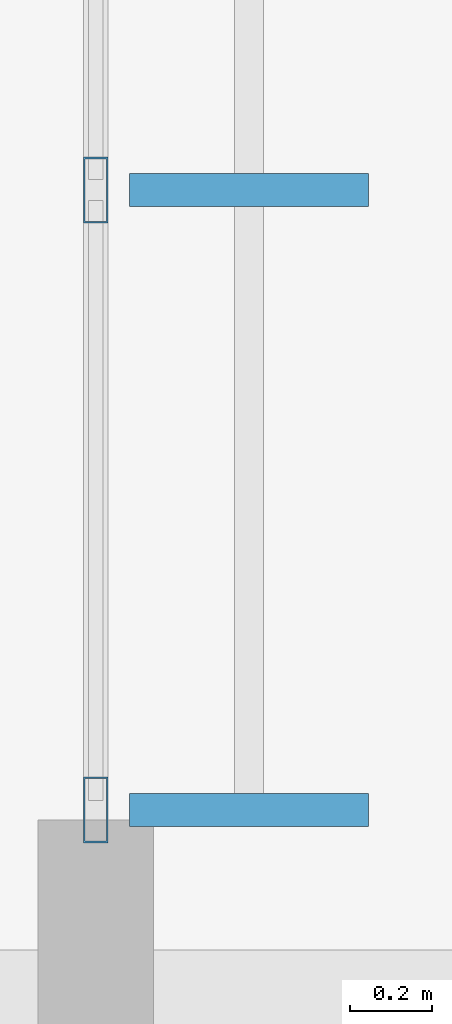
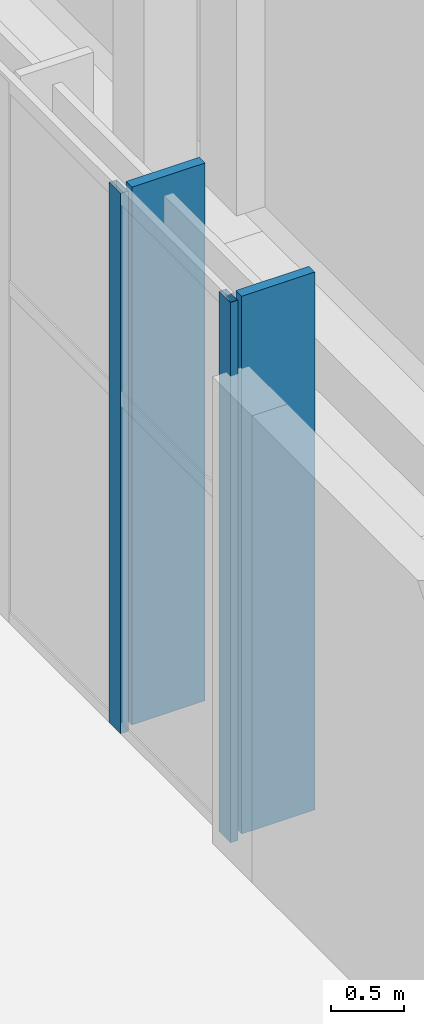
# One storey, part 19 of 151: 4 members, 1 element without a shape of its own.
"""IFC4 building model written with IfcOpenShell, lengths in metres."""

from ifc_helpers import new_model, si_unit, direction, frame, origin, origin_2d, place, context, subcontext, project, spatial, rectangle, hollow_rectangle, extrude, material, material_profile, profile_set, type_object, element, aggregate, save


model = new_model("IFC4")

# Units and contexts
model_context = context("Model", 3, precision=1e-05, world=origin(), true_north=direction((0.0, 1.0)))
body_context = subcontext(model_context, "Body", "Model", "MODEL_VIEW")
ifc_project = project(units=[si_unit("LENGTHUNIT", "METRE"), si_unit("AREAUNIT", "SQUARE_METRE"), si_unit("VOLUMEUNIT", "CUBIC_METRE"), si_unit("PLANEANGLEUNIT", "RADIAN"), si_unit("MASSUNIT", "GRAM", prefix="KILO")], contexts=[model_context])

# Site, building, storey
site_placement = place(None, origin())
site = spatial("IfcSite", under=ifc_project, at=site_placement, CompositionType="ELEMENT")
building_placement = place(site_placement, origin())
building = spatial("IfcBuilding", under=site, at=building_placement, Name="Chiffa Square Polytechnic", CompositionType="ELEMENT")
storey_placement = place(building_placement, origin())
storey = spatial("IfcBuildingStorey", under=building, at=storey_placement, Name="L00", CompositionType="ELEMENT", Elevation=0.0)

# Curtain wall, members
ifc_material_1 = material(Name="Aluminium EN AW-6060 T66 and glulam shading", Category="wood")
curtain_wall_type = type_object("IfcCurtainWallType", Name="CW-VERT-540X440", PredefinedType="USERDEFINED", material=ifc_material_1)
curtain_wall_placement = place(storey_placement, origin())
curtain_wall = element("IfcCurtainWall", 1, at=curtain_wall_placement, inside=storey, type_object=curtain_wall_type, Name="Curtain wall CW-V3-L00-151", ObjectType="CURTAIN WALL", PredefinedType="USERDEFINED")
ifc_material_2 = material(Name="Aluminium EN AW-6060 T66", Category="aluminium")
ifc_material_profile_1 = material_profile(ifc_material_2, hollow_rectangle(XDim=0.06005859375, YDim=0.159912109375, WallThickness=0.00390625, at=origin_2d()), Name="ALU 60x160x4")
ifc_profile_set_1 = profile_set([ifc_material_profile_1], Name="Aluminium EN AW-6060 T66")
member_type_1 = type_object("IfcMemberType", Name="CWM-ALU-65X150", PredefinedType="MULLION", material=ifc_profile_set_1)
member_1_placement = place(storey_placement, frame((44.75, 22.1650390625, 0.0), z_axis=(0.0, 0.0, 1.0), x_axis=(1.0, 0.0, 0.0)))
member_1 = element("IfcMember", 2, at=member_1_placement, type_object=member_type_1, Name="Curtain wall mullion CW-V3-L00-151-M00", PredefinedType="MULLION", context=body_context, shape_type="SweptSolid", body=[
    extrude(hollow_rectangle(XDim=0.06005859375, YDim=0.159912109375, WallThickness=0.00390625, at=origin_2d()), origin(), (0.0, 0.0, 1.0), 4.52001953125),
])
member_2_placement = place(storey_placement, frame((44.75, 23.669921875, 0.0), z_axis=(0.0, 0.0, 1.0), x_axis=(1.0, 0.0, 0.0)))
member_2 = element("IfcMember", 3, at=member_2_placement, type_object=member_type_1, Name="Curtain wall mullion CW-V3-L00-151-M01", PredefinedType="MULLION", context=body_context, shape_type="SweptSolid", body=[
    extrude(hollow_rectangle(XDim=0.06005859375, YDim=0.159912109375, WallThickness=0.00390625, at=origin_2d()), origin(), (0.0, 0.0, 1.0), 4.52001953125),
])
ifc_material_3 = material(Name="Glulam GL28h", Category="wood")
ifc_material_profile_2 = material_profile(ifc_material_3, rectangle(XDim=0.080078125, YDim=0.580078125, at=origin_2d()), Name="GL28h 80x580")
ifc_profile_set_2 = profile_set([ifc_material_profile_2], Name="Glulam GL28h")
member_type_2 = type_object("IfcMemberType", Name="CWM-GL-80X580", PredefinedType="MULLION", material=ifc_profile_set_2)
member_3_placement = place(storey_placement, frame((45.1220703125, 22.1650390625, 0.010009765625), z_axis=(0.0, 0.0, 1.0), x_axis=(0.0, 1.0, 0.0)))
member_3 = element("IfcMember", 4, at=member_3_placement, type_object=member_type_2, Name="Exterior glulam solar fin CW-V3-L00-151-FN00", PredefinedType="MULLION", context=body_context, shape_type="SweptSolid", body=[
    extrude(rectangle(XDim=0.080078125, YDim=0.580078125, at=origin_2d()), origin(), (0.0, 0.0, 1.0), 4.5),
])
member_4_placement = place(storey_placement, frame((45.1220703125, 23.669921875, 0.010009765625), z_axis=(0.0, 0.0, 1.0), x_axis=(0.0, 1.0, 0.0)))
member_4 = element("IfcMember", 5, at=member_4_placement, type_object=member_type_2, Name="Exterior glulam solar fin CW-V3-L00-151-FN01", PredefinedType="MULLION", context=body_context, shape_type="SweptSolid", body=[
    extrude(rectangle(XDim=0.080078125, YDim=0.580078125, at=origin_2d()), origin(), (0.0, 0.0, 1.0), 4.5),
])
aggregate(curtain_wall, [member_1, member_3, member_2, member_4])

save(model, "model.ifc")
